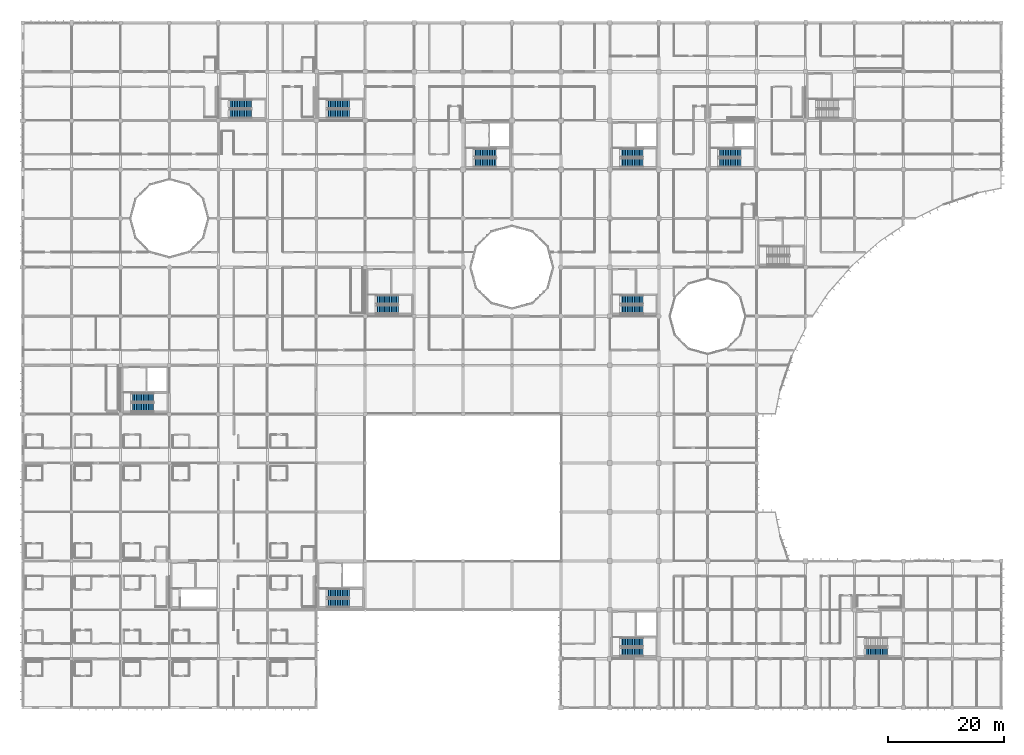
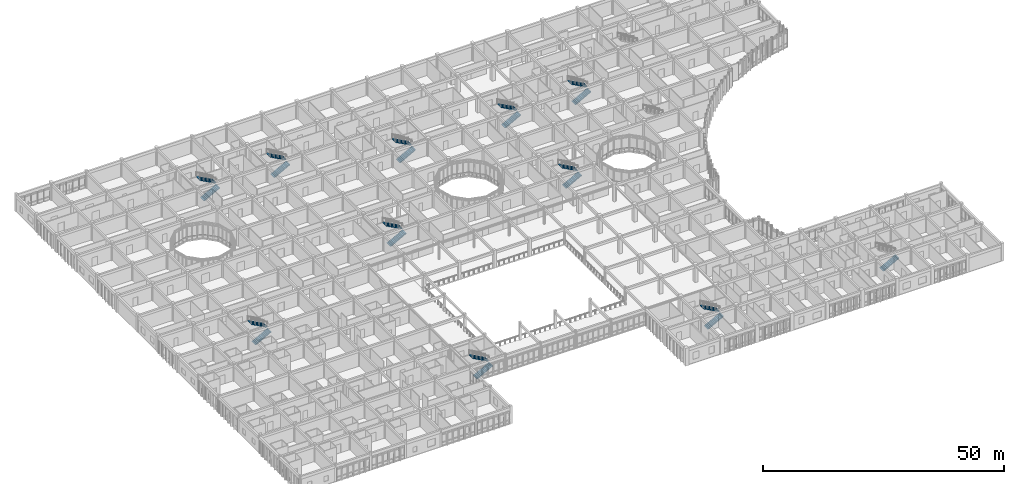
# One storey, part 122 of 144: 21 stair flights, 11 elements without a shape of their own.
"""IFC4 building model written with IfcOpenShell, lengths in metres."""

from ifc_helpers import new_model, si_unit, direction, frame, origin, place, context, subcontext, project, spatial, polyline, outline, extrude, material, type_object, element, aggregate, save


model = new_model("IFC4")

# Units and contexts
model_context = context("Model", 3, precision=1e-05, world=origin(), true_north=direction((0.0, 1.0)))
body_context = subcontext(model_context, "Body", "Model", "MODEL_VIEW")
ifc_project = project(units=[si_unit("LENGTHUNIT", "METRE"), si_unit("AREAUNIT", "SQUARE_METRE"), si_unit("VOLUMEUNIT", "CUBIC_METRE"), si_unit("PLANEANGLEUNIT", "RADIAN"), si_unit("MASSUNIT", "GRAM", prefix="KILO")], contexts=[model_context])

# Site, building, storey
site_placement = place(None, origin())
site = spatial("IfcSite", under=ifc_project, at=site_placement, CompositionType="ELEMENT")
building_placement = place(site_placement, origin())
building = spatial("IfcBuilding", under=site, at=building_placement, Name="Bramfleet General Hospital", CompositionType="ELEMENT")
storey_placement = place(building_placement, frame((0.0, 0.0, 4.800048828125)))
storey = spatial("IfcBuildingStorey", under=building, at=storey_placement, Name="L01", CompositionType="ELEMENT", Elevation=4.800048828125)

# Stair, stair flights
ifc_material = material(Name="Concrete C35/45", Category="concrete")
stair_type = type_object("IfcStairType", Name="STR-T2", PredefinedType="HALF_TURN_STAIR", material=ifc_material)
stair_1_placement = place(storey_placement, origin())
stair_1 = element("IfcStair", 1, at=stair_1_placement, inside=storey, type_object=stair_type, Name="L01 Core C1 (Main Hall & Forecourt) Protected Escape Stair", PredefinedType="HALF_TURN_STAIR")
stair_flight_type = type_object("IfcStairFlightType", Name="STF-T2", PredefinedType="STRAIGHT", material=ifc_material)
stair_flight_1_placement = place(storey_placement, frame((52.239990234375, 17.969970703125, 0.0), z_axis=(0.0, 0.0, 1.0), x_axis=(1.0, 0.0, 0.0)))
stair_flight_1 = element("IfcStairFlight", 2, at=stair_flight_1_placement, type_object=stair_flight_type, Name="ST-C1 flight 1", NumberOfRisers=14, NumberOfTreads=13, PredefinedType="STRAIGHT", RiserHeight=0.160714286, TreadLength=0.295, context=body_context, shape_type="SweptSolid", body=[
    extrude(outline(polyline([(0.0, 0.0), (0.0, 0.16064453125), (0.294921875, 0.16064453125), (0.294921875, 0.321533203125), (0.590087890625, 0.321533203125), (0.590087890625, 0.482177734375), (0.885009765625, 0.482177734375), (0.885009765625, 0.642822265625), (1.179931640625, 0.642822265625), (1.179931640625, 0.803466796875), (1.47509765625, 0.803466796875), (1.47509765625, 0.96435546875), (1.77001953125, 0.96435546875), (1.77001953125, 1.125), (2.06494140625, 1.125), (2.06494140625, 1.28564453125), (2.360107421875, 1.28564453125), (2.360107421875, 1.446533203125), (2.655029296875, 1.446533203125), (2.655029296875, 1.607177734375), (2.949951171875, 1.607177734375), (2.949951171875, 1.767822265625), (3.2451171875, 1.767822265625), (3.2451171875, 1.928466796875), (3.5400390625, 1.928466796875), (3.5400390625, 2.08935546875), (3.8349609375, 2.08935546875), (3.8349609375, 2.25), (3.8349609375, 1.9072265625), (0.334228515625, 0.0), (0.0, 0.0)])), frame((0.0, 0.75, 0.0), z_axis=(0.0, -1.0, 0.0), x_axis=(1.0, 0.0, 0.0)), (0.0, 0.0, 1.0), 1.5),
])
stair_flight_2_placement = place(storey_placement, frame((56.074951171875, 19.6298828125, 2.25), z_axis=(0.0, 0.0, 1.0), x_axis=(-1.0, 0.0, 0.0)))
stair_flight_2 = element("IfcStairFlight", 3, at=stair_flight_2_placement, type_object=stair_flight_type, Name="ST-C1 flight 2", NumberOfRisers=14, NumberOfTreads=13, PredefinedType="STRAIGHT", RiserHeight=0.160714286, TreadLength=0.295, context=body_context, shape_type="SweptSolid", body=[
    extrude(outline(polyline([(0.0, 0.0), (0.0, 0.16064453125), (0.294921875, 0.16064453125), (0.294921875, 0.321533203125), (0.590087890625, 0.321533203125), (0.590087890625, 0.482177734375), (0.885009765625, 0.482177734375), (0.885009765625, 0.642822265625), (1.179931640625, 0.642822265625), (1.179931640625, 0.803466796875), (1.47509765625, 0.803466796875), (1.47509765625, 0.96435546875), (1.77001953125, 0.96435546875), (1.77001953125, 1.125), (2.06494140625, 1.125), (2.06494140625, 1.28564453125), (2.360107421875, 1.28564453125), (2.360107421875, 1.446533203125), (2.655029296875, 1.446533203125), (2.655029296875, 1.607177734375), (2.949951171875, 1.607177734375), (2.949951171875, 1.767822265625), (3.2451171875, 1.767822265625), (3.2451171875, 1.928466796875), (3.5400390625, 1.928466796875), (3.5400390625, 2.08935546875), (3.8349609375, 2.08935546875), (3.8349609375, 2.25), (3.8349609375, 1.9072265625), (0.334228515625, 0.0), (0.0, 0.0)])), frame((0.0, 0.75, 0.0), z_axis=(0.0, -1.0, 0.0), x_axis=(1.0, 0.0, 0.0)), (0.0, 0.0, 1.0), 1.5),
])
aggregate(stair_1, [stair_flight_1, stair_flight_2])

stair_2_placement = place(storey_placement, origin())
stair_2 = element("IfcStair", 4, at=stair_2_placement, inside=storey, type_object=stair_type, Name="L01 Core C2 (Emergency & Surgical) Protected Escape Stair", PredefinedType="HALF_TURN_STAIR")
stair_flight_3_placement = place(storey_placement, frame((18.639892578125, 51.570068359375, 0.0), z_axis=(0.0, 0.0, 1.0), x_axis=(1.0, 0.0, 0.0)))
stair_flight_3 = element("IfcStairFlight", 5, at=stair_flight_3_placement, type_object=stair_flight_type, Name="ST-C2 flight 1", NumberOfRisers=14, NumberOfTreads=13, PredefinedType="STRAIGHT", RiserHeight=0.160714286, TreadLength=0.295, context=body_context, shape_type="SweptSolid", body=[
    extrude(outline(polyline([(0.0, 0.0), (0.0, 0.16064453125), (0.294921875, 0.16064453125), (0.294921875, 0.321533203125), (0.590087890625, 0.321533203125), (0.590087890625, 0.482177734375), (0.885009765625, 0.482177734375), (0.885009765625, 0.642822265625), (1.179931640625, 0.642822265625), (1.179931640625, 0.803466796875), (1.47509765625, 0.803466796875), (1.47509765625, 0.96435546875), (1.77001953125, 0.96435546875), (1.77001953125, 1.125), (2.06494140625, 1.125), (2.06494140625, 1.28564453125), (2.360107421875, 1.28564453125), (2.360107421875, 1.446533203125), (2.655029296875, 1.446533203125), (2.655029296875, 1.607177734375), (2.949951171875, 1.607177734375), (2.949951171875, 1.767822265625), (3.2451171875, 1.767822265625), (3.2451171875, 1.928466796875), (3.5400390625, 1.928466796875), (3.5400390625, 2.08935546875), (3.8349609375, 2.08935546875), (3.8349609375, 2.25), (3.8349609375, 1.9072265625), (0.334228515625, 0.0), (0.0, 0.0)])), frame((0.0, 0.75, 0.0), z_axis=(0.0, -1.0, 0.0), x_axis=(1.0, 0.0, 0.0)), (0.0, 0.0, 1.0), 1.5),
])
stair_flight_4_placement = place(storey_placement, frame((22.47509765625, 53.22998046875, 2.25), z_axis=(0.0, 0.0, 1.0), x_axis=(-1.0, 0.0, 0.0)))
stair_flight_4 = element("IfcStairFlight", 6, at=stair_flight_4_placement, type_object=stair_flight_type, Name="ST-C2 flight 2", NumberOfRisers=14, NumberOfTreads=13, PredefinedType="STRAIGHT", RiserHeight=0.160714286, TreadLength=0.295, context=body_context, shape_type="SweptSolid", body=[
    extrude(outline(polyline([(0.0, 0.0), (0.0, 0.16064453125), (0.294921875, 0.16064453125), (0.294921875, 0.321533203125), (0.590087890625, 0.321533203125), (0.590087890625, 0.482177734375), (0.885009765625, 0.482177734375), (0.885009765625, 0.642822265625), (1.179931640625, 0.642822265625), (1.179931640625, 0.803466796875), (1.47509765625, 0.803466796875), (1.47509765625, 0.96435546875), (1.77001953125, 0.96435546875), (1.77001953125, 1.125), (2.06494140625, 1.125), (2.06494140625, 1.28564453125), (2.360107421875, 1.28564453125), (2.360107421875, 1.446533203125), (2.655029296875, 1.446533203125), (2.655029296875, 1.607177734375), (2.949951171875, 1.607177734375), (2.949951171875, 1.767822265625), (3.2451171875, 1.767822265625), (3.2451171875, 1.928466796875), (3.5400390625, 1.928466796875), (3.5400390625, 2.08935546875), (3.8349609375, 2.08935546875), (3.8349609375, 2.25), (3.8349609375, 1.9072265625), (0.334228515625, 0.0), (0.0, 0.0)])), frame((0.0, 0.75, 0.0), z_axis=(0.0, -1.0, 0.0), x_axis=(1.0, 0.0, 0.0)), (0.0, 0.0, 1.0), 1.5),
])
aggregate(stair_2, [stair_flight_3, stair_flight_4])

stair_3_placement = place(storey_placement, origin())
stair_3 = element("IfcStair", 7, at=stair_3_placement, inside=storey, type_object=stair_type, Name="L01 Core C3 (South Ward Wing) Protected Escape Stair", PredefinedType="HALF_TURN_STAIR")
stair_flight_5_placement = place(storey_placement, frame((102.639892578125, 9.570068359375, 0.0), z_axis=(0.0, 0.0, 1.0), x_axis=(1.0, 0.0, 0.0)))
stair_flight_5 = element("IfcStairFlight", 8, at=stair_flight_5_placement, type_object=stair_flight_type, Name="ST-C3 flight 1", NumberOfRisers=14, NumberOfTreads=13, PredefinedType="STRAIGHT", RiserHeight=0.160714286, TreadLength=0.295, context=body_context, shape_type="SweptSolid", body=[
    extrude(outline(polyline([(0.0, 0.0), (0.0, 0.16064453125), (0.294921875, 0.16064453125), (0.294921875, 0.321533203125), (0.590087890625, 0.321533203125), (0.590087890625, 0.482177734375), (0.885009765625, 0.482177734375), (0.885009765625, 0.642822265625), (1.179931640625, 0.642822265625), (1.179931640625, 0.803466796875), (1.47509765625, 0.803466796875), (1.47509765625, 0.96435546875), (1.77001953125, 0.96435546875), (1.77001953125, 1.125), (2.06494140625, 1.125), (2.06494140625, 1.28564453125), (2.360107421875, 1.28564453125), (2.360107421875, 1.446533203125), (2.655029296875, 1.446533203125), (2.655029296875, 1.607177734375), (2.949951171875, 1.607177734375), (2.949951171875, 1.767822265625), (3.2451171875, 1.767822265625), (3.2451171875, 1.928466796875), (3.5400390625, 1.928466796875), (3.5400390625, 2.08935546875), (3.8349609375, 2.08935546875), (3.8349609375, 2.25), (3.8349609375, 1.9072265625), (0.334228515625, 0.0), (0.0, 0.0)])), frame((0.0, 0.75, 0.0), z_axis=(0.0, -1.0, 0.0), x_axis=(1.0, 0.0, 0.0)), (0.0, 0.0, 1.0), 1.5),
])
stair_flight_6_placement = place(storey_placement, frame((106.47509765625, 11.22998046875, 2.25), z_axis=(0.0, 0.0, 1.0), x_axis=(-1.0, 0.0, 0.0)))
stair_flight_6 = element("IfcStairFlight", 9, at=stair_flight_6_placement, type_object=stair_flight_type, Name="ST-C3 flight 2", NumberOfRisers=14, NumberOfTreads=13, PredefinedType="STRAIGHT", RiserHeight=0.160714286, TreadLength=0.295, context=body_context, shape_type="SweptSolid", body=[
    extrude(outline(polyline([(0.0, 0.0), (0.0, 0.16064453125), (0.294921875, 0.16064453125), (0.294921875, 0.321533203125), (0.590087890625, 0.321533203125), (0.590087890625, 0.482177734375), (0.885009765625, 0.482177734375), (0.885009765625, 0.642822265625), (1.179931640625, 0.642822265625), (1.179931640625, 0.803466796875), (1.47509765625, 0.803466796875), (1.47509765625, 0.96435546875), (1.77001953125, 0.96435546875), (1.77001953125, 1.125), (2.06494140625, 1.125), (2.06494140625, 1.28564453125), (2.360107421875, 1.28564453125), (2.360107421875, 1.446533203125), (2.655029296875, 1.446533203125), (2.655029296875, 1.607177734375), (2.949951171875, 1.607177734375), (2.949951171875, 1.767822265625), (3.2451171875, 1.767822265625), (3.2451171875, 1.928466796875), (3.5400390625, 1.928466796875), (3.5400390625, 2.08935546875), (3.8349609375, 2.08935546875), (3.8349609375, 2.25), (3.8349609375, 1.9072265625), (0.334228515625, 0.0), (0.0, 0.0)])), frame((0.0, 0.75, 0.0), z_axis=(0.0, -1.0, 0.0), x_axis=(1.0, 0.0, 0.0)), (0.0, 0.0, 1.0), 1.5),
])
aggregate(stair_3, [stair_flight_5, stair_flight_6])

stair_4_placement = place(storey_placement, origin())
stair_4 = element("IfcStair", 10, at=stair_4_placement, inside=storey, type_object=stair_type, Name="L01 Core C4 (Central Spine & Helipad Trauma) Protected Escape Stair", PredefinedType="HALF_TURN_STAIR")
stair_flight_7_placement = place(storey_placement, frame((102.639892578125, 93.570068359375, 0.0), z_axis=(0.0, 0.0, 1.0), x_axis=(1.0, 0.0, 0.0)))
stair_flight_7 = element("IfcStairFlight", 11, at=stair_flight_7_placement, type_object=stair_flight_type, Name="ST-C4 flight 1", NumberOfRisers=14, NumberOfTreads=13, PredefinedType="STRAIGHT", RiserHeight=0.160714286, TreadLength=0.295, context=body_context, shape_type="SweptSolid", body=[
    extrude(outline(polyline([(0.0, 0.0), (0.0, 0.16064453125), (0.294921875, 0.16064453125), (0.294921875, 0.321533203125), (0.590087890625, 0.321533203125), (0.590087890625, 0.482177734375), (0.885009765625, 0.482177734375), (0.885009765625, 0.642822265625), (1.179931640625, 0.642822265625), (1.179931640625, 0.803466796875), (1.47509765625, 0.803466796875), (1.47509765625, 0.96435546875), (1.77001953125, 0.96435546875), (1.77001953125, 1.125), (2.06494140625, 1.125), (2.06494140625, 1.28564453125), (2.360107421875, 1.28564453125), (2.360107421875, 1.446533203125), (2.655029296875, 1.446533203125), (2.655029296875, 1.607177734375), (2.949951171875, 1.607177734375), (2.949951171875, 1.767822265625), (3.2451171875, 1.767822265625), (3.2451171875, 1.928466796875), (3.5400390625, 1.928466796875), (3.5400390625, 2.08935546875), (3.8349609375, 2.08935546875), (3.8349609375, 2.25), (3.8349609375, 1.9072265625), (0.334228515625, 0.0), (0.0, 0.0)])), frame((0.0, 0.75, 0.0), z_axis=(0.0, -1.0, 0.0), x_axis=(1.0, 0.0, 0.0)), (0.0, 0.0, 1.0), 1.5),
])
stair_flight_8_placement = place(storey_placement, frame((106.47509765625, 95.22998046875, 2.25), z_axis=(0.0, 0.0, 1.0), x_axis=(-1.0, 0.0, 0.0)))
stair_flight_8 = element("IfcStairFlight", 12, at=stair_flight_8_placement, type_object=stair_flight_type, Name="ST-C4 flight 2", NumberOfRisers=14, NumberOfTreads=13, PredefinedType="STRAIGHT", RiserHeight=0.160714286, TreadLength=0.295, context=body_context, shape_type="SweptSolid", body=[
    extrude(outline(polyline([(0.0, 0.0), (0.0, 0.16064453125), (0.294921875, 0.16064453125), (0.294921875, 0.321533203125), (0.590087890625, 0.321533203125), (0.590087890625, 0.482177734375), (0.885009765625, 0.482177734375), (0.885009765625, 0.642822265625), (1.179931640625, 0.642822265625), (1.179931640625, 0.803466796875), (1.47509765625, 0.803466796875), (1.47509765625, 0.96435546875), (1.77001953125, 0.96435546875), (1.77001953125, 1.125), (2.06494140625, 1.125), (2.06494140625, 1.28564453125), (2.360107421875, 1.28564453125), (2.360107421875, 1.446533203125), (2.655029296875, 1.446533203125), (2.655029296875, 1.607177734375), (2.949951171875, 1.607177734375), (2.949951171875, 1.767822265625), (3.2451171875, 1.767822265625), (3.2451171875, 1.928466796875), (3.5400390625, 1.928466796875), (3.5400390625, 2.08935546875), (3.8349609375, 2.08935546875), (3.8349609375, 2.25), (3.8349609375, 1.9072265625), (0.334228515625, 0.0), (0.0, 0.0)])), frame((0.0, 0.75, 0.0), z_axis=(0.0, -1.0, 0.0), x_axis=(1.0, 0.0, 0.0)), (0.0, 0.0, 1.0), 1.5),
])
aggregate(stair_4, [stair_flight_7, stair_flight_8])

stair_5_placement = place(storey_placement, origin())
stair_5 = element("IfcStair", 13, at=stair_5_placement, inside=storey, type_object=stair_type, Name="L01 Core C5 (North-West Ward Wing) Protected Escape Stair", PredefinedType="HALF_TURN_STAIR")
stair_flight_9_placement = place(storey_placement, frame((77.43994140625, 93.570068359375, 0.0), z_axis=(0.0, 0.0, 1.0), x_axis=(1.0, 0.0, 0.0)))
stair_flight_9 = element("IfcStairFlight", 14, at=stair_flight_9_placement, type_object=stair_flight_type, Name="ST-C5 flight 1", NumberOfRisers=14, NumberOfTreads=13, PredefinedType="STRAIGHT", RiserHeight=0.160714286, TreadLength=0.295, context=body_context, shape_type="SweptSolid", body=[
    extrude(outline(polyline([(0.0, 0.0), (0.0, 0.16064453125), (0.294921875, 0.16064453125), (0.294921875, 0.321533203125), (0.590087890625, 0.321533203125), (0.590087890625, 0.482177734375), (0.885009765625, 0.482177734375), (0.885009765625, 0.642822265625), (1.179931640625, 0.642822265625), (1.179931640625, 0.803466796875), (1.47509765625, 0.803466796875), (1.47509765625, 0.96435546875), (1.77001953125, 0.96435546875), (1.77001953125, 1.125), (2.06494140625, 1.125), (2.06494140625, 1.28564453125), (2.360107421875, 1.28564453125), (2.360107421875, 1.446533203125), (2.655029296875, 1.446533203125), (2.655029296875, 1.607177734375), (2.949951171875, 1.607177734375), (2.949951171875, 1.767822265625), (3.2451171875, 1.767822265625), (3.2451171875, 1.928466796875), (3.5400390625, 1.928466796875), (3.5400390625, 2.08935546875), (3.8349609375, 2.08935546875), (3.8349609375, 2.25), (3.8349609375, 1.9072265625), (0.334228515625, 0.0), (0.0, 0.0)])), frame((0.0, 0.75, 0.0), z_axis=(0.0, -1.0, 0.0), x_axis=(1.0, 0.0, 0.0)), (0.0, 0.0, 1.0), 1.5),
])
stair_flight_10_placement = place(storey_placement, frame((81.27490234375, 95.22998046875, 2.25), z_axis=(0.0, 0.0, 1.0), x_axis=(-1.0, 0.0, 0.0)))
stair_flight_10 = element("IfcStairFlight", 15, at=stair_flight_10_placement, type_object=stair_flight_type, Name="ST-C5 flight 2", NumberOfRisers=14, NumberOfTreads=13, PredefinedType="STRAIGHT", RiserHeight=0.160714286, TreadLength=0.295, context=body_context, shape_type="SweptSolid", body=[
    extrude(outline(polyline([(0.0, 0.0), (0.0, 0.16064453125), (0.294921875, 0.16064453125), (0.294921875, 0.321533203125), (0.590087890625, 0.321533203125), (0.590087890625, 0.482177734375), (0.885009765625, 0.482177734375), (0.885009765625, 0.642822265625), (1.179931640625, 0.642822265625), (1.179931640625, 0.803466796875), (1.47509765625, 0.803466796875), (1.47509765625, 0.96435546875), (1.77001953125, 0.96435546875), (1.77001953125, 1.125), (2.06494140625, 1.125), (2.06494140625, 1.28564453125), (2.360107421875, 1.28564453125), (2.360107421875, 1.446533203125), (2.655029296875, 1.446533203125), (2.655029296875, 1.607177734375), (2.949951171875, 1.607177734375), (2.949951171875, 1.767822265625), (3.2451171875, 1.767822265625), (3.2451171875, 1.928466796875), (3.5400390625, 1.928466796875), (3.5400390625, 2.08935546875), (3.8349609375, 2.08935546875), (3.8349609375, 2.25), (3.8349609375, 1.9072265625), (0.334228515625, 0.0), (0.0, 0.0)])), frame((0.0, 0.75, 0.0), z_axis=(0.0, -1.0, 0.0), x_axis=(1.0, 0.0, 0.0)), (0.0, 0.0, 1.0), 1.5),
])
aggregate(stair_5, [stair_flight_9, stair_flight_10])

stair_6_placement = place(storey_placement, origin())
stair_6 = element("IfcStair", 16, at=stair_6_placement, inside=storey, type_object=stair_type, Name="L01 Core C6 (North-East Ward & Helipad) Protected Escape Stair", PredefinedType="HALF_TURN_STAIR")
stair_flight_11_placement = place(storey_placement, frame((119.43994140625, 93.570068359375, 0.0), z_axis=(0.0, 0.0, 1.0), x_axis=(1.0, 0.0, 0.0)))
stair_flight_11 = element("IfcStairFlight", 17, at=stair_flight_11_placement, type_object=stair_flight_type, Name="ST-C6 flight 1", NumberOfRisers=14, NumberOfTreads=13, PredefinedType="STRAIGHT", RiserHeight=0.160714286, TreadLength=0.295, context=body_context, shape_type="SweptSolid", body=[
    extrude(outline(polyline([(0.0, 0.0), (0.0, 0.16064453125), (0.294921875, 0.16064453125), (0.294921875, 0.321533203125), (0.590087890625, 0.321533203125), (0.590087890625, 0.482177734375), (0.885009765625, 0.482177734375), (0.885009765625, 0.642822265625), (1.179931640625, 0.642822265625), (1.179931640625, 0.803466796875), (1.47509765625, 0.803466796875), (1.47509765625, 0.96435546875), (1.77001953125, 0.96435546875), (1.77001953125, 1.125), (2.06494140625, 1.125), (2.06494140625, 1.28564453125), (2.360107421875, 1.28564453125), (2.360107421875, 1.446533203125), (2.655029296875, 1.446533203125), (2.655029296875, 1.607177734375), (2.949951171875, 1.607177734375), (2.949951171875, 1.767822265625), (3.2451171875, 1.767822265625), (3.2451171875, 1.928466796875), (3.5400390625, 1.928466796875), (3.5400390625, 2.08935546875), (3.8349609375, 2.08935546875), (3.8349609375, 2.25), (3.8349609375, 1.9072265625), (0.334228515625, 0.0), (0.0, 0.0)])), frame((0.0, 0.75, 0.0), z_axis=(0.0, -1.0, 0.0), x_axis=(1.0, 0.0, 0.0)), (0.0, 0.0, 1.0), 1.5),
])
stair_flight_12_placement = place(storey_placement, frame((123.27490234375, 95.22998046875, 2.25), z_axis=(0.0, 0.0, 1.0), x_axis=(-1.0, 0.0, 0.0)))
stair_flight_12 = element("IfcStairFlight", 18, at=stair_flight_12_placement, type_object=stair_flight_type, Name="ST-C6 flight 2", NumberOfRisers=14, NumberOfTreads=13, PredefinedType="STRAIGHT", RiserHeight=0.160714286, TreadLength=0.295, context=body_context, shape_type="SweptSolid", body=[
    extrude(outline(polyline([(0.0, 0.0), (0.0, 0.16064453125), (0.294921875, 0.16064453125), (0.294921875, 0.321533203125), (0.590087890625, 0.321533203125), (0.590087890625, 0.482177734375), (0.885009765625, 0.482177734375), (0.885009765625, 0.642822265625), (1.179931640625, 0.642822265625), (1.179931640625, 0.803466796875), (1.47509765625, 0.803466796875), (1.47509765625, 0.96435546875), (1.77001953125, 0.96435546875), (1.77001953125, 1.125), (2.06494140625, 1.125), (2.06494140625, 1.28564453125), (2.360107421875, 1.28564453125), (2.360107421875, 1.446533203125), (2.655029296875, 1.446533203125), (2.655029296875, 1.607177734375), (2.949951171875, 1.607177734375), (2.949951171875, 1.767822265625), (3.2451171875, 1.767822265625), (3.2451171875, 1.928466796875), (3.5400390625, 1.928466796875), (3.5400390625, 2.08935546875), (3.8349609375, 2.08935546875), (3.8349609375, 2.25), (3.8349609375, 1.9072265625), (0.334228515625, 0.0), (0.0, 0.0)])), frame((0.0, 0.75, 0.0), z_axis=(0.0, -1.0, 0.0), x_axis=(1.0, 0.0, 0.0)), (0.0, 0.0, 1.0), 1.5),
])
aggregate(stair_6, [stair_flight_11, stair_flight_12])

stair_7_placement = place(storey_placement, origin())
stair_7 = element("IfcStair", 19, at=stair_7_placement, inside=storey, type_object=stair_type, Name="L01 Core C8 (North-West Surgical Escape) Protected Escape Stair", PredefinedType="HALF_TURN_STAIR")
stair_flight_13_placement = place(storey_placement, frame((35.43994140625, 101.969970703125, 0.0), z_axis=(0.0, 0.0, 1.0), x_axis=(1.0, 0.0, 0.0)))
stair_flight_13 = element("IfcStairFlight", 20, at=stair_flight_13_placement, type_object=stair_flight_type, Name="ST-C8 flight 1", NumberOfRisers=14, NumberOfTreads=13, PredefinedType="STRAIGHT", RiserHeight=0.160714286, TreadLength=0.295, context=body_context, shape_type="SweptSolid", body=[
    extrude(outline(polyline([(0.0, 0.0), (0.0, 0.16064453125), (0.294921875, 0.16064453125), (0.294921875, 0.321533203125), (0.590087890625, 0.321533203125), (0.590087890625, 0.482177734375), (0.885009765625, 0.482177734375), (0.885009765625, 0.642822265625), (1.179931640625, 0.642822265625), (1.179931640625, 0.803466796875), (1.47509765625, 0.803466796875), (1.47509765625, 0.96435546875), (1.77001953125, 0.96435546875), (1.77001953125, 1.125), (2.06494140625, 1.125), (2.06494140625, 1.28564453125), (2.360107421875, 1.28564453125), (2.360107421875, 1.446533203125), (2.655029296875, 1.446533203125), (2.655029296875, 1.607177734375), (2.949951171875, 1.607177734375), (2.949951171875, 1.767822265625), (3.2451171875, 1.767822265625), (3.2451171875, 1.928466796875), (3.5400390625, 1.928466796875), (3.5400390625, 2.08935546875), (3.8349609375, 2.08935546875), (3.8349609375, 2.25), (3.8349609375, 1.9072265625), (0.334228515625, 0.0), (0.0, 0.0)])), frame((0.0, 0.75, 0.0), z_axis=(0.0, -1.0, 0.0), x_axis=(1.0, 0.0, 0.0)), (0.0, 0.0, 1.0), 1.5),
])
stair_flight_14_placement = place(storey_placement, frame((39.27490234375, 103.6298828125, 2.25), z_axis=(0.0, 0.0, 1.0), x_axis=(-1.0, 0.0, 0.0)))
stair_flight_14 = element("IfcStairFlight", 21, at=stair_flight_14_placement, type_object=stair_flight_type, Name="ST-C8 flight 2", NumberOfRisers=14, NumberOfTreads=13, PredefinedType="STRAIGHT", RiserHeight=0.160714286, TreadLength=0.295, context=body_context, shape_type="SweptSolid", body=[
    extrude(outline(polyline([(0.0, 0.0), (0.0, 0.16064453125), (0.294921875, 0.16064453125), (0.294921875, 0.321533203125), (0.590087890625, 0.321533203125), (0.590087890625, 0.482177734375), (0.885009765625, 0.482177734375), (0.885009765625, 0.642822265625), (1.179931640625, 0.642822265625), (1.179931640625, 0.803466796875), (1.47509765625, 0.803466796875), (1.47509765625, 0.96435546875), (1.77001953125, 0.96435546875), (1.77001953125, 1.125), (2.06494140625, 1.125), (2.06494140625, 1.28564453125), (2.360107421875, 1.28564453125), (2.360107421875, 1.446533203125), (2.655029296875, 1.446533203125), (2.655029296875, 1.607177734375), (2.949951171875, 1.607177734375), (2.949951171875, 1.767822265625), (3.2451171875, 1.767822265625), (3.2451171875, 1.928466796875), (3.5400390625, 1.928466796875), (3.5400390625, 2.08935546875), (3.8349609375, 2.08935546875), (3.8349609375, 2.25), (3.8349609375, 1.9072265625), (0.334228515625, 0.0), (0.0, 0.0)])), frame((0.0, 0.75, 0.0), z_axis=(0.0, -1.0, 0.0), x_axis=(1.0, 0.0, 0.0)), (0.0, 0.0, 1.0), 1.5),
])
aggregate(stair_7, [stair_flight_13, stair_flight_14])

# Stair, stair flight
stair_8_placement = place(storey_placement, origin())
stair_8 = element("IfcStair", 22, at=stair_8_placement, inside=storey, type_object=stair_type, Name="L01 Core C10 (South-East Clinic & Ward Escape) Protected Escape Stair", PredefinedType="HALF_TURN_STAIR")
stair_flight_15_placement = place(storey_placement, frame((144.639892578125, 9.570068359375, 0.0), z_axis=(0.0, 0.0, 1.0), x_axis=(1.0, 0.0, 0.0)))
stair_flight_15 = element("IfcStairFlight", 23, at=stair_flight_15_placement, type_object=stair_flight_type, Name="ST-C10 flight 1", NumberOfRisers=14, NumberOfTreads=13, PredefinedType="STRAIGHT", RiserHeight=0.160714286, TreadLength=0.295, context=body_context, shape_type="SweptSolid", body=[
    extrude(outline(polyline([(0.0, 0.0), (0.0, 0.16064453125), (0.294921875, 0.16064453125), (0.294921875, 0.321533203125), (0.590087890625, 0.321533203125), (0.590087890625, 0.482177734375), (0.885009765625, 0.482177734375), (0.885009765625, 0.642822265625), (1.179931640625, 0.642822265625), (1.179931640625, 0.803466796875), (1.47509765625, 0.803466796875), (1.47509765625, 0.96435546875), (1.77001953125, 0.96435546875), (1.77001953125, 1.125), (2.06494140625, 1.125), (2.06494140625, 1.28564453125), (2.360107421875, 1.28564453125), (2.360107421875, 1.446533203125), (2.655029296875, 1.446533203125), (2.655029296875, 1.607177734375), (2.949951171875, 1.607177734375), (2.949951171875, 1.767822265625), (3.2451171875, 1.767822265625), (3.2451171875, 1.928466796875), (3.5400390625, 1.928466796875), (3.5400390625, 2.08935546875), (3.8349609375, 2.08935546875), (3.8349609375, 2.25), (3.8349609375, 1.9072265625), (0.334228515625, 0.0), (0.0, 0.0)])), frame((0.0, 0.75, 0.0), z_axis=(0.0, -1.0, 0.0), x_axis=(1.0, 0.0, 0.0)), (0.0, 0.0, 1.0), 1.5),
])
aggregate(stair_8, [stair_flight_15])

# Stair, stair flights
stair_9_placement = place(storey_placement, origin())
stair_9 = element("IfcStair", 24, at=stair_9_placement, inside=storey, type_object=stair_type, Name="L01 Core C11 (Central Spine Escape) Protected Escape Stair", PredefinedType="HALF_TURN_STAIR")
stair_flight_16_placement = place(storey_placement, frame((102.639892578125, 68.3701171875, 0.0), z_axis=(0.0, 0.0, 1.0), x_axis=(1.0, 0.0, 0.0)))
stair_flight_16 = element("IfcStairFlight", 25, at=stair_flight_16_placement, type_object=stair_flight_type, Name="ST-C11 flight 1", NumberOfRisers=14, NumberOfTreads=13, PredefinedType="STRAIGHT", RiserHeight=0.160714286, TreadLength=0.295, context=body_context, shape_type="SweptSolid", body=[
    extrude(outline(polyline([(0.0, 0.0), (0.0, 0.16064453125), (0.294921875, 0.16064453125), (0.294921875, 0.321533203125), (0.590087890625, 0.321533203125), (0.590087890625, 0.482177734375), (0.885009765625, 0.482177734375), (0.885009765625, 0.642822265625), (1.179931640625, 0.642822265625), (1.179931640625, 0.803466796875), (1.47509765625, 0.803466796875), (1.47509765625, 0.96435546875), (1.77001953125, 0.96435546875), (1.77001953125, 1.125), (2.06494140625, 1.125), (2.06494140625, 1.28564453125), (2.360107421875, 1.28564453125), (2.360107421875, 1.446533203125), (2.655029296875, 1.446533203125), (2.655029296875, 1.607177734375), (2.949951171875, 1.607177734375), (2.949951171875, 1.767822265625), (3.2451171875, 1.767822265625), (3.2451171875, 1.928466796875), (3.5400390625, 1.928466796875), (3.5400390625, 2.08935546875), (3.8349609375, 2.08935546875), (3.8349609375, 2.25), (3.8349609375, 1.9072265625), (0.334228515625, 0.0), (0.0, 0.0)])), frame((0.0, 0.75, 0.0), z_axis=(0.0, -1.0, 0.0), x_axis=(1.0, 0.0, 0.0)), (0.0, 0.0, 1.0), 1.5),
])
stair_flight_17_placement = place(storey_placement, frame((106.47509765625, 70.030029296875, 2.25), z_axis=(0.0, 0.0, 1.0), x_axis=(-1.0, 0.0, 0.0)))
stair_flight_17 = element("IfcStairFlight", 26, at=stair_flight_17_placement, type_object=stair_flight_type, Name="ST-C11 flight 2", NumberOfRisers=14, NumberOfTreads=13, PredefinedType="STRAIGHT", RiserHeight=0.160714286, TreadLength=0.295, context=body_context, shape_type="SweptSolid", body=[
    extrude(outline(polyline([(0.0, 0.0), (0.0, 0.16064453125), (0.294921875, 0.16064453125), (0.294921875, 0.321533203125), (0.590087890625, 0.321533203125), (0.590087890625, 0.482177734375), (0.885009765625, 0.482177734375), (0.885009765625, 0.642822265625), (1.179931640625, 0.642822265625), (1.179931640625, 0.803466796875), (1.47509765625, 0.803466796875), (1.47509765625, 0.96435546875), (1.77001953125, 0.96435546875), (1.77001953125, 1.125), (2.06494140625, 1.125), (2.06494140625, 1.28564453125), (2.360107421875, 1.28564453125), (2.360107421875, 1.446533203125), (2.655029296875, 1.446533203125), (2.655029296875, 1.607177734375), (2.949951171875, 1.607177734375), (2.949951171875, 1.767822265625), (3.2451171875, 1.767822265625), (3.2451171875, 1.928466796875), (3.5400390625, 1.928466796875), (3.5400390625, 2.08935546875), (3.8349609375, 2.08935546875), (3.8349609375, 2.25), (3.8349609375, 1.9072265625), (0.334228515625, 0.0), (0.0, 0.0)])), frame((0.0, 0.75, 0.0), z_axis=(0.0, -1.0, 0.0), x_axis=(1.0, 0.0, 0.0)), (0.0, 0.0, 1.0), 1.5),
])
aggregate(stair_9, [stair_flight_16, stair_flight_17])

stair_10_placement = place(storey_placement, origin())
stair_10 = element("IfcStair", 27, at=stair_10_placement, inside=storey, type_object=stair_type, Name="L01 Core C13 (Central Diagnostic Base Escape) Protected Escape Stair", PredefinedType="HALF_TURN_STAIR")
stair_flight_18_placement = place(storey_placement, frame((60.639892578125, 68.3701171875, 0.0), z_axis=(0.0, 0.0, 1.0), x_axis=(1.0, 0.0, 0.0)))
stair_flight_18 = element("IfcStairFlight", 28, at=stair_flight_18_placement, type_object=stair_flight_type, Name="ST-C13 flight 1", NumberOfRisers=14, NumberOfTreads=13, PredefinedType="STRAIGHT", RiserHeight=0.160714286, TreadLength=0.295, context=body_context, shape_type="SweptSolid", body=[
    extrude(outline(polyline([(0.0, 0.0), (0.0, 0.16064453125), (0.294921875, 0.16064453125), (0.294921875, 0.321533203125), (0.590087890625, 0.321533203125), (0.590087890625, 0.482177734375), (0.885009765625, 0.482177734375), (0.885009765625, 0.642822265625), (1.179931640625, 0.642822265625), (1.179931640625, 0.803466796875), (1.47509765625, 0.803466796875), (1.47509765625, 0.96435546875), (1.77001953125, 0.96435546875), (1.77001953125, 1.125), (2.06494140625, 1.125), (2.06494140625, 1.28564453125), (2.360107421875, 1.28564453125), (2.360107421875, 1.446533203125), (2.655029296875, 1.446533203125), (2.655029296875, 1.607177734375), (2.949951171875, 1.607177734375), (2.949951171875, 1.767822265625), (3.2451171875, 1.767822265625), (3.2451171875, 1.928466796875), (3.5400390625, 1.928466796875), (3.5400390625, 2.08935546875), (3.8349609375, 2.08935546875), (3.8349609375, 2.25), (3.8349609375, 1.9072265625), (0.334228515625, 0.0), (0.0, 0.0)])), frame((0.0, 0.75, 0.0), z_axis=(0.0, -1.0, 0.0), x_axis=(1.0, 0.0, 0.0)), (0.0, 0.0, 1.0), 1.5),
])
stair_flight_19_placement = place(storey_placement, frame((64.47509765625, 70.030029296875, 2.25), z_axis=(0.0, 0.0, 1.0), x_axis=(-1.0, 0.0, 0.0)))
stair_flight_19 = element("IfcStairFlight", 29, at=stair_flight_19_placement, type_object=stair_flight_type, Name="ST-C13 flight 2", NumberOfRisers=14, NumberOfTreads=13, PredefinedType="STRAIGHT", RiserHeight=0.160714286, TreadLength=0.295, context=body_context, shape_type="SweptSolid", body=[
    extrude(outline(polyline([(0.0, 0.0), (0.0, 0.16064453125), (0.294921875, 0.16064453125), (0.294921875, 0.321533203125), (0.590087890625, 0.321533203125), (0.590087890625, 0.482177734375), (0.885009765625, 0.482177734375), (0.885009765625, 0.642822265625), (1.179931640625, 0.642822265625), (1.179931640625, 0.803466796875), (1.47509765625, 0.803466796875), (1.47509765625, 0.96435546875), (1.77001953125, 0.96435546875), (1.77001953125, 1.125), (2.06494140625, 1.125), (2.06494140625, 1.28564453125), (2.360107421875, 1.28564453125), (2.360107421875, 1.446533203125), (2.655029296875, 1.446533203125), (2.655029296875, 1.607177734375), (2.949951171875, 1.607177734375), (2.949951171875, 1.767822265625), (3.2451171875, 1.767822265625), (3.2451171875, 1.928466796875), (3.5400390625, 1.928466796875), (3.5400390625, 2.08935546875), (3.8349609375, 2.08935546875), (3.8349609375, 2.25), (3.8349609375, 1.9072265625), (0.334228515625, 0.0), (0.0, 0.0)])), frame((0.0, 0.75, 0.0), z_axis=(0.0, -1.0, 0.0), x_axis=(1.0, 0.0, 0.0)), (0.0, 0.0, 1.0), 1.5),
])
aggregate(stair_10, [stair_flight_18, stair_flight_19])

stair_11_placement = place(storey_placement, origin())
stair_11 = element("IfcStair", 30, at=stair_11_placement, inside=storey, type_object=stair_type, Name="L01 Core C14 (West Ward Wing Escape) Protected Escape Stair", PredefinedType="HALF_TURN_STAIR")
stair_flight_20_placement = place(storey_placement, frame((52.239990234375, 101.969970703125, 0.0), z_axis=(0.0, 0.0, 1.0), x_axis=(1.0, 0.0, 0.0)))
stair_flight_20 = element("IfcStairFlight", 31, at=stair_flight_20_placement, type_object=stair_flight_type, Name="ST-C14 flight 1", NumberOfRisers=14, NumberOfTreads=13, PredefinedType="STRAIGHT", RiserHeight=0.160714286, TreadLength=0.295, context=body_context, shape_type="SweptSolid", body=[
    extrude(outline(polyline([(0.0, 0.0), (0.0, 0.16064453125), (0.294921875, 0.16064453125), (0.294921875, 0.321533203125), (0.590087890625, 0.321533203125), (0.590087890625, 0.482177734375), (0.885009765625, 0.482177734375), (0.885009765625, 0.642822265625), (1.179931640625, 0.642822265625), (1.179931640625, 0.803466796875), (1.47509765625, 0.803466796875), (1.47509765625, 0.96435546875), (1.77001953125, 0.96435546875), (1.77001953125, 1.125), (2.06494140625, 1.125), (2.06494140625, 1.28564453125), (2.360107421875, 1.28564453125), (2.360107421875, 1.446533203125), (2.655029296875, 1.446533203125), (2.655029296875, 1.607177734375), (2.949951171875, 1.607177734375), (2.949951171875, 1.767822265625), (3.2451171875, 1.767822265625), (3.2451171875, 1.928466796875), (3.5400390625, 1.928466796875), (3.5400390625, 2.08935546875), (3.8349609375, 2.08935546875), (3.8349609375, 2.25), (3.8349609375, 1.9072265625), (0.334228515625, 0.0), (0.0, 0.0)])), frame((0.0, 0.75, 0.0), z_axis=(0.0, -1.0, 0.0), x_axis=(1.0, 0.0, 0.0)), (0.0, 0.0, 1.0), 1.5),
])
stair_flight_21_placement = place(storey_placement, frame((56.074951171875, 103.6298828125, 2.25), z_axis=(0.0, 0.0, 1.0), x_axis=(-1.0, 0.0, 0.0)))
stair_flight_21 = element("IfcStairFlight", 32, at=stair_flight_21_placement, type_object=stair_flight_type, Name="ST-C14 flight 2", NumberOfRisers=14, NumberOfTreads=13, PredefinedType="STRAIGHT", RiserHeight=0.160714286, TreadLength=0.295, context=body_context, shape_type="SweptSolid", body=[
    extrude(outline(polyline([(0.0, 0.0), (0.0, 0.16064453125), (0.294921875, 0.16064453125), (0.294921875, 0.321533203125), (0.590087890625, 0.321533203125), (0.590087890625, 0.482177734375), (0.885009765625, 0.482177734375), (0.885009765625, 0.642822265625), (1.179931640625, 0.642822265625), (1.179931640625, 0.803466796875), (1.47509765625, 0.803466796875), (1.47509765625, 0.96435546875), (1.77001953125, 0.96435546875), (1.77001953125, 1.125), (2.06494140625, 1.125), (2.06494140625, 1.28564453125), (2.360107421875, 1.28564453125), (2.360107421875, 1.446533203125), (2.655029296875, 1.446533203125), (2.655029296875, 1.607177734375), (2.949951171875, 1.607177734375), (2.949951171875, 1.767822265625), (3.2451171875, 1.767822265625), (3.2451171875, 1.928466796875), (3.5400390625, 1.928466796875), (3.5400390625, 2.08935546875), (3.8349609375, 2.08935546875), (3.8349609375, 2.25), (3.8349609375, 1.9072265625), (0.334228515625, 0.0), (0.0, 0.0)])), frame((0.0, 0.75, 0.0), z_axis=(0.0, -1.0, 0.0), x_axis=(1.0, 0.0, 0.0)), (0.0, 0.0, 1.0), 1.5),
])
aggregate(stair_11, [stair_flight_20, stair_flight_21])

save(model, "model.ifc")
